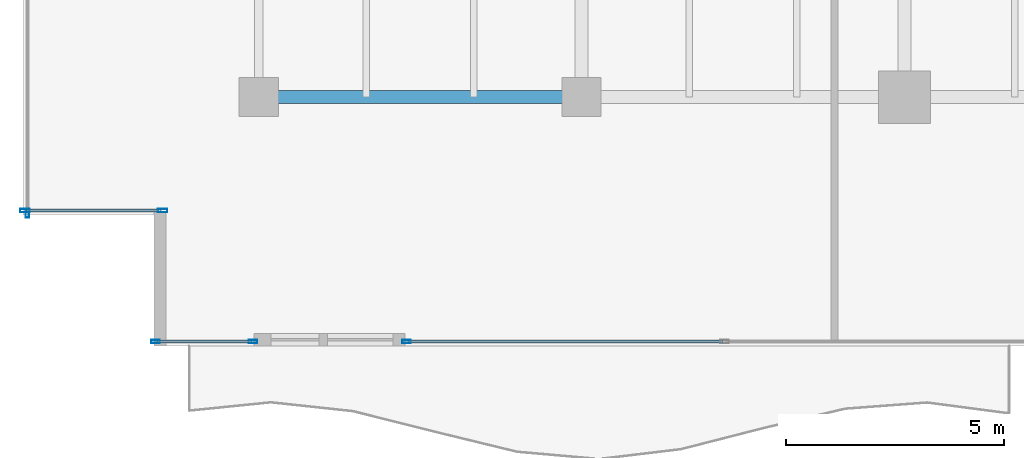
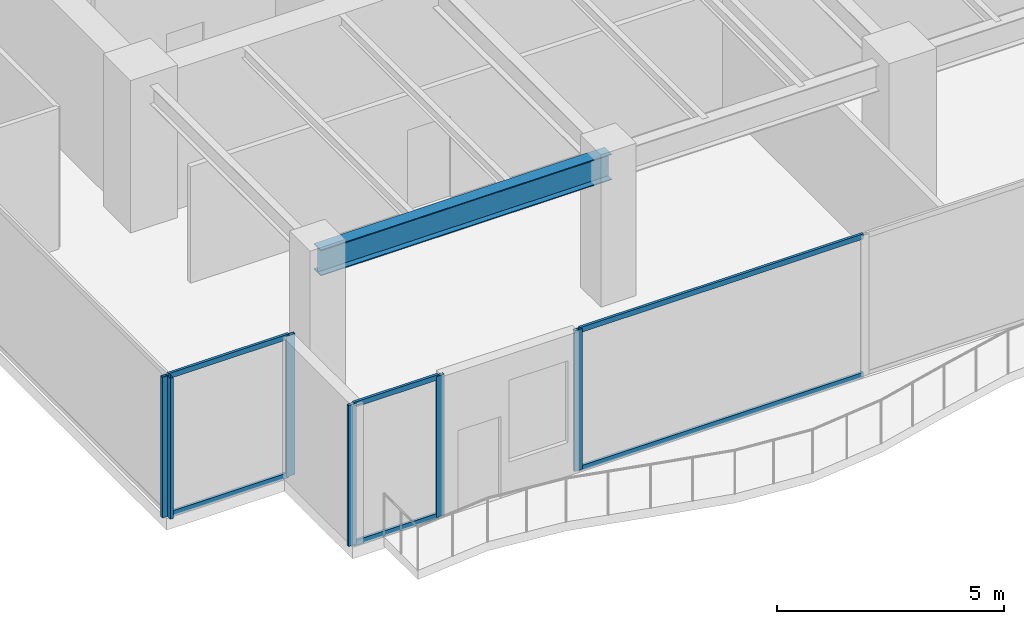
# One storey, part 2 of 30: 12 members, 1 beam, 4 elements without a shape of their own.
"""IFC4 building model written with IfcOpenShell, lengths in metres."""

from ifc_helpers import new_model, si_unit, direction, frame, origin, origin_2d, place, context, subcontext, project, spatial, hollow_rectangle, i_section, extrude, source, transform, mapped, material, layer, layer_set, material_profile, profile_set, type_object, type_shapes, element, aggregate, save


model = new_model("IFC4")

# Units and contexts
model_context = context("Model", 3, precision=1e-05, world=origin(), true_north=direction((0.0, 1.0)))
body_context = subcontext(model_context, "Body", "Model", "MODEL_VIEW")
ifc_project = project(units=[si_unit("LENGTHUNIT", "METRE"), si_unit("AREAUNIT", "SQUARE_METRE"), si_unit("VOLUMEUNIT", "CUBIC_METRE"), si_unit("PLANEANGLEUNIT", "RADIAN"), si_unit("MASSUNIT", "GRAM", prefix="KILO")], contexts=[model_context])

# Site, building, storey
site_placement = place(None, origin())
site = spatial("IfcSite", under=ifc_project, at=site_placement, CompositionType="ELEMENT")
building_placement = place(site_placement, origin())
building = spatial("IfcBuilding", under=site, at=building_placement, Name="Haelvirn Gate Laboratories", CompositionType="ELEMENT")
storey_placement = place(building_placement, frame((0.0, 0.0, 113.300048828125)))
storey = spatial("IfcBuildingStorey", under=building, at=storey_placement, Name="L27", CompositionType="ELEMENT", Elevation=113.300048828125)

# Beam
ifc_material_1 = material(Name="Steel SM355", Category="steel")
ifc_material_profile_1 = material_profile(ifc_material_1, i_section(OverallWidth=0.300048828125, OverallDepth=0.699951171875, WebThickness=0.012939453125, FlangeThickness=0.02392578125, at=origin_2d()), Name="H-700x300x13x24")
ifc_profile_set_1 = profile_set([ifc_material_profile_1], Name="Steel SM355")
beam_type = type_object("IfcBeamType", Name="BM-G-700", PredefinedType="BEAM", material=ifc_profile_set_1)
shared_shape_1 = source(origin(), body_context, "Body", "SweptSolid", [
    extrude(i_section(OverallWidth=0.300048828125, OverallDepth=0.699951171875, WebThickness=0.012939453125, FlangeThickness=0.02392578125, at=origin_2d()), origin(), (0.0, 0.0, 1.0), 7.400146484375),
])
type_shapes(beam_type, [shared_shape_1])
beam_placement = place(storey_placement, frame((7.39990234375, 7.0, 3.43994140625), z_axis=(1.0, 0.0, 0.0), x_axis=(0.0, 1.0, 0.0)))
element("IfcBeam", 1, at=beam_placement, inside=storey, type_object=beam_type, Name="L27 Primary Girder Y7.0 (7.4-14.8)", PredefinedType="BEAM", context=body_context, shape_type="MappedRepresentation", body=[
    mapped(shared_shape_1, transform((0.0, 0.0, 0.0), scale=1.0)),
])

# Curtain wall, members
ifc_material_2 = material(Name="Anodised bronze unitised aluminium & triple low-E glass", Category="aluminium")
ifc_layer_1 = layer(ifc_material_2, 0.181884765625, Name="CW-SYS-5")
ifc_layer_set_1 = layer_set([ifc_layer_1], Name="Anodised bronze unitised aluminium & triple low-E glass")
curtain_wall_type_1 = type_object("IfcCurtainWallType", Name="CW-SYS-5", PredefinedType="NOTDEFINED", material=ifc_layer_set_1)
curtain_wall_1_placement = place(storey_placement, origin())
curtain_wall_1 = element("IfcCurtainWall", 2, at=curtain_wall_1_placement, inside=storey, type_object=curtain_wall_type_1, Name="L27 Unitised Curtain Wall CW-L27-P0-E18-1", PredefinedType="NOTDEFINED")
ifc_material_3 = material(Name="Extruded aluminium 6063-T6 (anodised bronze)", Category="aluminium")
ifc_material_profile_2 = material_profile(ifc_material_3, hollow_rectangle(XDim=0.06494140625, YDim=0.139892578125, WallThickness=0.00390625, at=origin_2d()), Name="CWT-140x65x4")
ifc_profile_set_2 = profile_set([ifc_material_profile_2], Name="Extruded aluminium 6063-T6 (anodised bronze)")
member_type_1 = type_object("IfcMemberType", Name="CWT-T140", PredefinedType="USERDEFINED", material=ifc_profile_set_2)
shared_shape_2 = source(origin(), body_context, "Body", "SweptSolid", [
    extrude(hollow_rectangle(XDim=0.06494140625, YDim=0.139892578125, WallThickness=0.00390625, at=origin_2d()), origin(), (0.0, 0.0, 1.0), 3.079833984375),
])
member_1_placement = place(storey_placement, frame((2.080078125, 4.39990234375, 0.032470703125), z_axis=(1.0, 0.0, 0.0), x_axis=(0.0, 1.0, 0.0)))
member_1 = element("IfcMember", 3, at=member_1_placement, type_object=member_type_1, Name="CW5 transom 1.1", ObjectType="TRANSOM", PredefinedType="USERDEFINED", context=body_context, shape_type="MappedRepresentation", body=[
    mapped(shared_shape_2, transform((0.0, 0.0, 0.0), scale=1.0)),
])
member_2_placement = place(storey_placement, frame((2.080078125, 4.39990234375, 3.757568359375), z_axis=(1.0, 0.0, 0.0), x_axis=(0.0, 1.0, 0.0)))
member_2 = element("IfcMember", 4, at=member_2_placement, type_object=member_type_1, Name="CW5 transom 1.2", ObjectType="TRANSOM", PredefinedType="USERDEFINED", context=body_context, shape_type="MappedRepresentation", body=[
    mapped(shared_shape_2, transform((0.0, 0.0, 0.0), scale=1.0)),
])

ifc_layer_2 = layer(ifc_material_2, 0.179931640625, Name="CW-SYS-3")
ifc_layer_set_2 = layer_set([ifc_layer_2], Name="Anodised bronze unitised aluminium & triple low-E glass")
curtain_wall_type_2 = type_object("IfcCurtainWallType", Name="CW-SYS-3", PredefinedType="NOTDEFINED", material=ifc_layer_set_2)
curtain_wall_2_placement = place(storey_placement, origin())
curtain_wall_2 = element("IfcCurtainWall", 5, at=curtain_wall_2_placement, inside=storey, type_object=curtain_wall_type_2, Name="L27 Unitised Curtain Wall CW-L27-P0-E00-1", PredefinedType="NOTDEFINED")
ifc_material_profile_3 = material_profile(ifc_material_3, hollow_rectangle(XDim=0.074951171875, YDim=0.199951171875, WallThickness=0.0048828125, at=origin_2d()), Name="CWM-200x75x5")
ifc_profile_set_3 = profile_set([ifc_material_profile_3], Name="Extruded aluminium 6063-T6 (anodised bronze)")
member_type_2 = type_object("IfcMemberType", Name="CWM-T200", PredefinedType="MULLION", material=ifc_profile_set_3)
shared_shape_3 = source(origin(), body_context, "Body", "SweptSolid", [
    extrude(hollow_rectangle(XDim=0.074951171875, YDim=0.199951171875, WallThickness=0.0048828125, at=origin_2d()), origin(), (0.0, 0.0, 1.0), 3.7900390625),
])
type_shapes(member_type_2, [shared_shape_3])
member_3_placement = place(storey_placement, frame((5.03759765625, 1.39990234375, 0.0), z_axis=(0.0, 0.0, 1.0), x_axis=(0.0, 1.0, 0.0)))
member_3 = element("IfcMember", 6, at=member_3_placement, type_object=member_type_2, Name="CW3 mullion 1", PredefinedType="MULLION", context=body_context, shape_type="MappedRepresentation", body=[
    mapped(shared_shape_3, transform((0.0, 0.0, 0.0), scale=1.0)),
])
member_4_placement = place(storey_placement, frame((7.2724609375, 1.39990234375, 0.0), z_axis=(0.0, 0.0, 1.0), x_axis=(0.0, 1.0, 0.0)))
member_4 = element("IfcMember", 7, at=member_4_placement, type_object=member_type_2, Name="CW3 mullion 2", PredefinedType="MULLION", context=body_context, shape_type="MappedRepresentation", body=[
    mapped(shared_shape_3, transform((0.0, 0.0, 0.0), scale=1.0)),
])

# Curtain wall, member
curtain_wall_3_placement = place(storey_placement, origin())
curtain_wall_3 = element("IfcCurtainWall", 8, at=curtain_wall_3_placement, inside=storey, type_object=curtain_wall_type_2, Name="L27 Unitised Curtain Wall CW-L27-P0-E00-2", PredefinedType="NOTDEFINED")
member_5_placement = place(storey_placement, frame((10.78759765625, 1.39990234375, 0.0), z_axis=(0.0, 0.0, 1.0), x_axis=(0.0, 1.0, 0.0)))
member_5 = element("IfcMember", 9, at=member_5_placement, type_object=member_type_2, Name="CW3 mullion 1", PredefinedType="MULLION", context=body_context, shape_type="MappedRepresentation", body=[
    mapped(shared_shape_3, transform((0.0, 0.0, 0.0), scale=1.0)),
])

curtain_wall_4_placement = place(storey_placement, origin())
curtain_wall_4 = element("IfcCurtainWall", 10, at=curtain_wall_4_placement, inside=storey, type_object=curtain_wall_type_2, Name="L27 Unitised Curtain Wall CW-L27-P0-E17", PredefinedType="NOTDEFINED")
member_6_placement = place(storey_placement, frame((2.10009765625, 4.33740234375, 0.0), z_axis=(0.0, 0.0, 1.0), x_axis=(1.0, 0.0, 0.0)))
member_6 = element("IfcMember", 11, at=member_6_placement, type_object=member_type_2, Name="CW3 mullion 4", PredefinedType="MULLION", context=body_context, shape_type="MappedRepresentation", body=[
    mapped(shared_shape_3, transform((0.0, 0.0, 0.0), scale=1.0)),
])
aggregate(curtain_wall_4, [member_6])

# Member
ifc_material_profile_4 = material_profile(ifc_material_3, hollow_rectangle(XDim=0.080078125, YDim=0.219970703125, WallThickness=0.006103515625, at=origin_2d()), Name="CWM-220x80x6")
ifc_profile_set_4 = profile_set([ifc_material_profile_4], Name="Extruded aluminium 6063-T6 (anodised bronze)")
member_type_3 = type_object("IfcMemberType", Name="CWM-T220", PredefinedType="MULLION", material=ifc_profile_set_4)
shared_shape_4 = source(origin(), body_context, "Body", "SweptSolid", [
    extrude(hollow_rectangle(XDim=0.080078125, YDim=0.219970703125, WallThickness=0.006103515625, at=origin_2d()), origin(), (0.0, 0.0, 1.0), 3.7900390625),
])
type_shapes(member_type_3, [shared_shape_4])
member_7_placement = place(storey_placement, frame((2.0400390625, 4.39990234375, 0.0), z_axis=(0.0, 0.0, 1.0), x_axis=(0.0, 1.0, 0.0)))
member_7 = element("IfcMember", 12, at=member_7_placement, type_object=member_type_3, Name="CW5 mullion 1", PredefinedType="MULLION", context=body_context, shape_type="MappedRepresentation", body=[
    mapped(shared_shape_4, transform((0.0, 0.0, 0.0), scale=1.0)),
])

member_8_placement = place(storey_placement, frame((5.199951171875, 4.39990234375, 0.0), z_axis=(0.0, 0.0, 1.0), x_axis=(0.0, 1.0, 0.0)))
member_8 = element("IfcMember", 13, at=member_8_placement, type_object=member_type_3, Name="CW5 mullion 2", PredefinedType="MULLION", context=body_context, shape_type="MappedRepresentation", body=[
    mapped(shared_shape_4, transform((0.0, 0.0, 0.0), scale=1.0)),
])

aggregate(curtain_wall_1, [member_7, member_8, member_1, member_2])

shared_shape_5 = source(origin(), body_context, "Body", "SweptSolid", [
    extrude(hollow_rectangle(XDim=0.06494140625, YDim=0.139892578125, WallThickness=0.00390625, at=origin_2d()), origin(), (0.0, 0.0, 1.0), 2.16015625),
])
member_9_placement = place(storey_placement, frame((5.074951171875, 1.39990234375, 0.032470703125), z_axis=(1.0, 0.0, 0.0), x_axis=(0.0, 1.0, 0.0)))
member_9 = element("IfcMember", 14, at=member_9_placement, type_object=member_type_1, Name="CW3 transom 1.1", ObjectType="TRANSOM", PredefinedType="USERDEFINED", context=body_context, shape_type="MappedRepresentation", body=[
    mapped(shared_shape_5, transform((0.0, 0.0, 0.0), scale=1.0)),
])

member_10_placement = place(storey_placement, frame((5.074951171875, 1.39990234375, 3.757568359375), z_axis=(1.0, 0.0, 0.0), x_axis=(0.0, 1.0, 0.0)))
member_10 = element("IfcMember", 15, at=member_10_placement, type_object=member_type_1, Name="CW3 transom 1.2", ObjectType="TRANSOM", PredefinedType="USERDEFINED", context=body_context, shape_type="MappedRepresentation", body=[
    mapped(shared_shape_5, transform((0.0, 0.0, 0.0), scale=1.0)),
])

aggregate(curtain_wall_2, [member_3, member_4, member_9, member_10])

shared_shape_6 = source(origin(), body_context, "Body", "SweptSolid", [
    extrude(hollow_rectangle(XDim=0.06494140625, YDim=0.139892578125, WallThickness=0.00390625, at=origin_2d()), origin(), (0.0, 0.0, 1.0), 7.212646484375),
])
type_shapes(member_type_1, [shared_shape_2, shared_shape_5, shared_shape_6])
member_11_placement = place(storey_placement, frame((10.824951171875, 1.39990234375, 0.032470703125), z_axis=(1.0, 0.0, 0.0), x_axis=(0.0, 1.0, 0.0)))
member_11 = element("IfcMember", 16, at=member_11_placement, type_object=member_type_1, Name="CW3 transom 1.1", ObjectType="TRANSOM", PredefinedType="USERDEFINED", context=body_context, shape_type="MappedRepresentation", body=[
    mapped(shared_shape_6, transform((0.0, 0.0, 0.0), scale=1.0)),
])

member_12_placement = place(storey_placement, frame((10.824951171875, 1.39990234375, 3.757568359375), z_axis=(1.0, 0.0, 0.0), x_axis=(0.0, 1.0, 0.0)))
member_12 = element("IfcMember", 17, at=member_12_placement, type_object=member_type_1, Name="CW3 transom 1.2", ObjectType="TRANSOM", PredefinedType="USERDEFINED", context=body_context, shape_type="MappedRepresentation", body=[
    mapped(shared_shape_6, transform((0.0, 0.0, 0.0), scale=1.0)),
])

aggregate(curtain_wall_3, [member_5, member_11, member_12])

save(model, "model.ifc")
